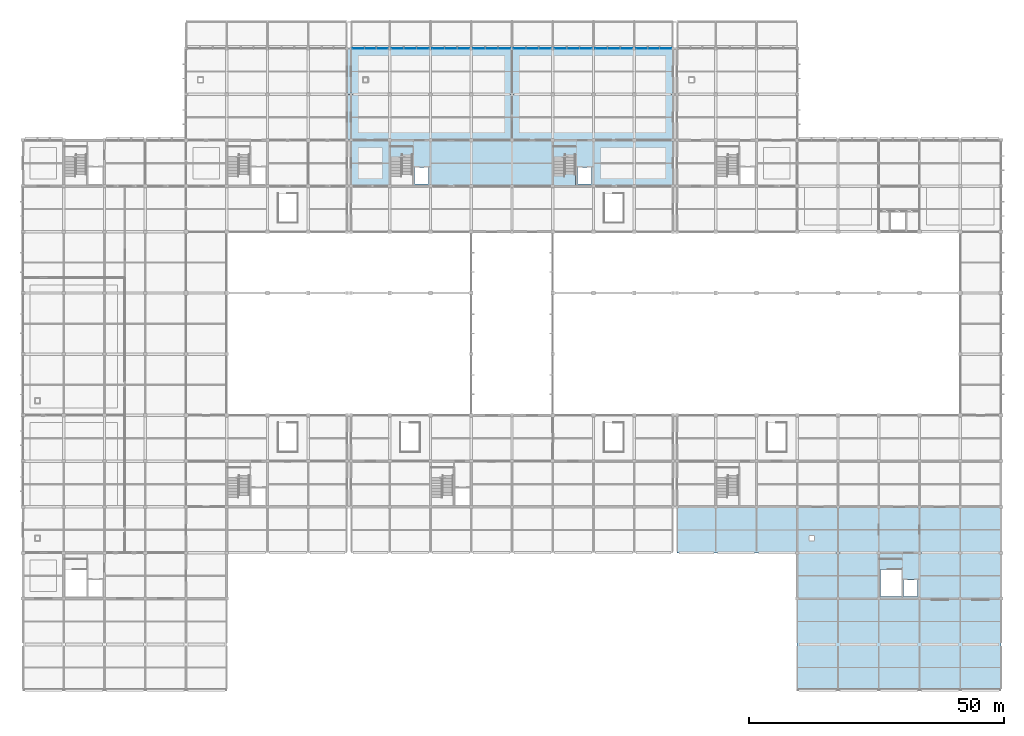
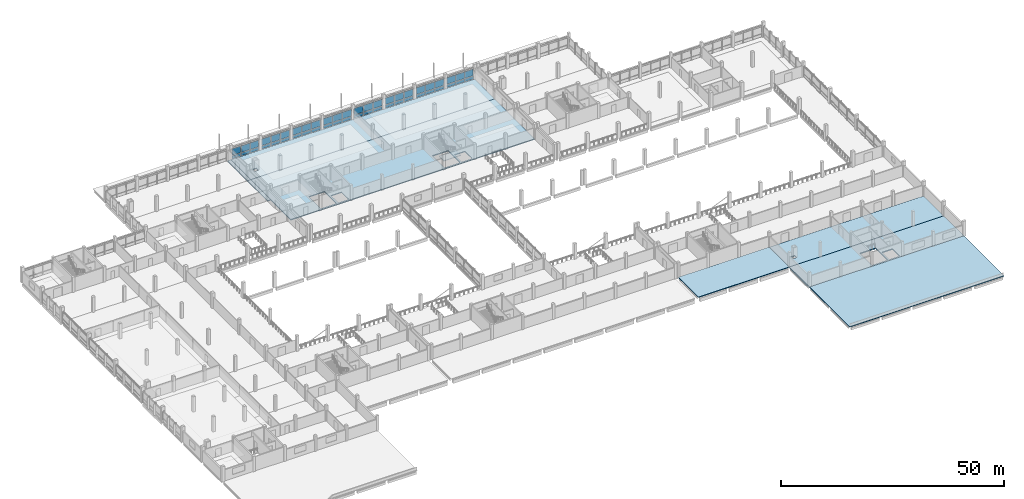
# One storey, part 36 of 57: 48 plates, 9 slabs, 9 elements without a shape of their own.
"""IFC4 building model written with IfcOpenShell, lengths in metres."""

from ifc_helpers import new_model, si_unit, direction, frame, origin, origin_2d, place, context, subcontext, project, spatial, polyline, rectangle, outline, extrude, material, layer, layer_set, type_object, element, aggregate, save


model = new_model("IFC4")

# Units and contexts
model_context = context("Model", 3, precision=1e-05, world=origin(), true_north=direction((0.0, 1.0)))
body_context = subcontext(model_context, "Body", "Model", "MODEL_VIEW")
ifc_project = project(units=[si_unit("LENGTHUNIT", "METRE"), si_unit("AREAUNIT", "SQUARE_METRE"), si_unit("VOLUMEUNIT", "CUBIC_METRE"), si_unit("PLANEANGLEUNIT", "RADIAN"), si_unit("MASSUNIT", "GRAM", prefix="KILO"), si_unit("THERMODYNAMICTEMPERATUREUNIT", "KELVIN"), si_unit("POWERUNIT", "WATT")], contexts=[model_context])

# Site, building, storey
site_placement = place(None, origin())
site = spatial("IfcSite", under=ifc_project, at=site_placement, CompositionType="ELEMENT")
building_placement = place(site_placement, origin())
building = spatial("IfcBuilding", under=site, at=building_placement, Name="Kronsvod Quay Wholesale Market", CompositionType="ELEMENT")
storey_placement = place(building_placement, frame((0.0, 0.0, 4.800048828125)))
storey = spatial("IfcBuildingStorey", under=building, at=storey_placement, Name="L01", CompositionType="ELEMENT", Elevation=4.800048828125)

# Curtain wall, plates
ifc_material_1 = material(Name="Thermally broken aluminium and triple low-E glazing", Category="aluminium")
curtain_wall_type_1 = type_object("IfcCurtainWallType", Name="CW_Harbour76x33", PredefinedType="NOTDEFINED", material=ifc_material_1)
curtain_wall_1_placement = place(storey_placement, origin())
curtain_wall_1 = element("IfcCurtainWall", 1, at=curtain_wall_1_placement, inside=storey, type_object=curtain_wall_type_1, Name="CWGX-L01-644-1260", PredefinedType="NOTDEFINED")
ifc_material_2 = material(Name="Insulated aluminium spandrel panel", Category="aluminium")
ifc_layer_1 = layer(ifc_material_2, 0.048095703125)
ifc_layer_set_1 = layer_set([ifc_layer_1], Name="Insulated aluminium spandrel panel")
plate_type_1 = type_object("IfcPlateType", Name="CWPanel_SP2224x775", PredefinedType="CURTAIN_PANEL", material=ifc_layer_set_1)
plate_1_placement = place(storey_placement, frame((70.517822265625, 126.0, 0.14990234375), z_axis=(0.0, 0.0, 1.0), x_axis=(-1.0, 0.0, 0.0)))
plate_1 = element("IfcPlate", 2, at=plate_1_placement, type_object=plate_type_1, Name="CWGX-L01-644-1260-PS1", PredefinedType="CURTAIN_PANEL", context=body_context, shape_type="SweptSolid", body=[
    extrude(rectangle(XDim=2.22412109375, YDim=0.048095703125, at=origin_2d()), origin(), (0.0, 0.0, 1.0), 0.77490234375),
])
plate_2_placement = place(storey_placement, frame((65.882080078125, 126.0, 0.14990234375), z_axis=(0.0, 0.0, 1.0), x_axis=(-1.0, 0.0, 0.0)))
plate_2 = element("IfcPlate", 3, at=plate_2_placement, type_object=plate_type_1, Name="CWGX-L01-644-1260-PS3", PredefinedType="CURTAIN_PANEL", context=body_context, shape_type="SweptSolid", body=[
    extrude(rectangle(XDim=2.22412109375, YDim=0.048095703125, at=origin_2d()), origin(), (0.0, 0.0, 1.0), 0.77490234375),
])

curtain_wall_2_placement = place(storey_placement, origin())
curtain_wall_2 = element("IfcCurtainWall", 4, at=curtain_wall_2_placement, inside=storey, type_object=curtain_wall_type_1, Name="CWGX-L01-1200-1260", PredefinedType="NOTDEFINED")
plate_3_placement = place(storey_placement, frame((126.117919921875, 126.0, 0.14990234375), z_axis=(0.0, 0.0, 1.0), x_axis=(-1.0, 0.0, 0.0)))
plate_3 = element("IfcPlate", 5, at=plate_3_placement, type_object=plate_type_1, Name="CWGX-L01-1200-1260-PS1", PredefinedType="CURTAIN_PANEL", context=body_context, shape_type="SweptSolid", body=[
    extrude(rectangle(XDim=2.22412109375, YDim=0.048095703125, at=origin_2d()), origin(), (0.0, 0.0, 1.0), 0.77490234375),
])
plate_4_placement = place(storey_placement, frame((121.482177734375, 126.0, 0.14990234375), z_axis=(0.0, 0.0, 1.0), x_axis=(-1.0, 0.0, 0.0)))
plate_4 = element("IfcPlate", 6, at=plate_4_placement, type_object=plate_type_1, Name="CWGX-L01-1200-1260-PS3", PredefinedType="CURTAIN_PANEL", context=body_context, shape_type="SweptSolid", body=[
    extrude(rectangle(XDim=2.22412109375, YDim=0.048095703125, at=origin_2d()), origin(), (0.0, 0.0, 1.0), 0.77490234375),
])

# Plate
ifc_material_3 = material(Name="Insulated aluminium spandrel panel", Category="aluminium")
ifc_layer_2 = layer(ifc_material_3, 0.048095703125)
ifc_layer_set_2 = layer_set([ifc_layer_2], Name="Insulated aluminium spandrel panel")
plate_type_2 = type_object("IfcPlateType", Name="CWPanel_SP2262x775", PredefinedType="CURTAIN_PANEL", material=ifc_layer_set_2)
plate_5_placement = place(storey_placement, frame((68.199951171875, 126.0, 0.14990234375), z_axis=(0.0, 0.0, 1.0), x_axis=(-1.0, 0.0, 0.0)))
plate_5 = element("IfcPlate", 7, at=plate_5_placement, type_object=plate_type_2, Name="CWGX-L01-644-1260-PS2", PredefinedType="CURTAIN_PANEL", context=body_context, shape_type="SweptSolid", body=[
    extrude(rectangle(XDim=2.261962890625, YDim=0.048095703125, at=origin_2d()), origin(), (0.0, 0.0, 1.0), 0.77490234375),
])

plate_6_placement = place(storey_placement, frame((123.800048828125, 126.0, 0.14990234375), z_axis=(0.0, 0.0, 1.0), x_axis=(-1.0, 0.0, 0.0)))
plate_6 = element("IfcPlate", 8, at=plate_6_placement, type_object=plate_type_2, Name="CWGX-L01-1200-1260-PS2", PredefinedType="CURTAIN_PANEL", context=body_context, shape_type="SweptSolid", body=[
    extrude(rectangle(XDim=2.261962890625, YDim=0.048095703125, at=origin_2d()), origin(), (0.0, 0.0, 1.0), 0.77490234375),
])

# Curtain wall, plate
ifc_material_4 = material(Name="Thermally broken aluminium and triple low-E glazing", Category="aluminium")
curtain_wall_type_2 = type_object("IfcCurtainWallType", Name="CW_Harbour80x33", PredefinedType="NOTDEFINED", material=ifc_material_4)
curtain_wall_3_placement = place(storey_placement, origin())
curtain_wall_3 = element("IfcCurtainWall", 9, at=curtain_wall_3_placement, inside=storey, type_object=curtain_wall_type_2, Name="CWGX-L01-720-1260", PredefinedType="NOTDEFINED")
ifc_material_5 = material(Name="Insulated aluminium spandrel panel", Category="aluminium")
ifc_layer_3 = layer(ifc_material_5, 0.048095703125)
ifc_layer_set_3 = layer_set([ifc_layer_3], Name="Insulated aluminium spandrel panel")
plate_type_3 = type_object("IfcPlateType", Name="CWPanel_SP2357x775", PredefinedType="CURTAIN_PANEL", material=ifc_layer_set_3)
plate_7_placement = place(storey_placement, frame((78.451171875, 126.0, 0.14990234375), z_axis=(0.0, 0.0, 1.0), x_axis=(-1.0, 0.0, 0.0)))
plate_7 = element("IfcPlate", 10, at=plate_7_placement, type_object=plate_type_3, Name="CWGX-L01-720-1260-PS1", PredefinedType="CURTAIN_PANEL", context=body_context, shape_type="SweptSolid", body=[
    extrude(rectangle(XDim=2.35693359375, YDim=0.048095703125, at=origin_2d()), origin(), (0.0, 0.0, 1.0), 0.77490234375),
])

curtain_wall_4_placement = place(storey_placement, origin())
curtain_wall_4 = element("IfcCurtainWall", 11, at=curtain_wall_4_placement, inside=storey, type_object=curtain_wall_type_2, Name="CWGX-L01-800-1260", PredefinedType="NOTDEFINED")
plate_8_placement = place(storey_placement, frame((86.451171875, 126.0, 0.14990234375), z_axis=(0.0, 0.0, 1.0), x_axis=(-1.0, 0.0, 0.0)))
plate_8 = element("IfcPlate", 12, at=plate_8_placement, type_object=plate_type_3, Name="CWGX-L01-800-1260-PS1", PredefinedType="CURTAIN_PANEL", context=body_context, shape_type="SweptSolid", body=[
    extrude(rectangle(XDim=2.35693359375, YDim=0.048095703125, at=origin_2d()), origin(), (0.0, 0.0, 1.0), 0.77490234375),
])

curtain_wall_5_placement = place(storey_placement, origin())
curtain_wall_5 = element("IfcCurtainWall", 13, at=curtain_wall_5_placement, inside=storey, type_object=curtain_wall_type_2, Name="CWGX-L01-880-1260", PredefinedType="NOTDEFINED")
plate_9_placement = place(storey_placement, frame((94.451171875, 126.0, 0.14990234375), z_axis=(0.0, 0.0, 1.0), x_axis=(-1.0, 0.0, 0.0)))
plate_9 = element("IfcPlate", 14, at=plate_9_placement, type_object=plate_type_3, Name="CWGX-L01-880-1260-PS1", PredefinedType="CURTAIN_PANEL", context=body_context, shape_type="SweptSolid", body=[
    extrude(rectangle(XDim=2.35693359375, YDim=0.048095703125, at=origin_2d()), origin(), (0.0, 0.0, 1.0), 0.77490234375),
])

curtain_wall_6_placement = place(storey_placement, origin())
curtain_wall_6 = element("IfcCurtainWall", 15, at=curtain_wall_6_placement, inside=storey, type_object=curtain_wall_type_2, Name="CWGX-L01-960-1260", PredefinedType="NOTDEFINED")
plate_10_placement = place(storey_placement, frame((102.451171875, 126.0, 0.14990234375), z_axis=(0.0, 0.0, 1.0), x_axis=(-1.0, 0.0, 0.0)))
plate_10 = element("IfcPlate", 16, at=plate_10_placement, type_object=plate_type_3, Name="CWGX-L01-960-1260-PS1", PredefinedType="CURTAIN_PANEL", context=body_context, shape_type="SweptSolid", body=[
    extrude(rectangle(XDim=2.35693359375, YDim=0.048095703125, at=origin_2d()), origin(), (0.0, 0.0, 1.0), 0.77490234375),
])

curtain_wall_7_placement = place(storey_placement, origin())
curtain_wall_7 = element("IfcCurtainWall", 17, at=curtain_wall_7_placement, inside=storey, type_object=curtain_wall_type_2, Name="CWGX-L01-1040-1260", PredefinedType="NOTDEFINED")
plate_11_placement = place(storey_placement, frame((110.451171875, 126.0, 0.14990234375), z_axis=(0.0, 0.0, 1.0), x_axis=(-1.0, 0.0, 0.0)))
plate_11 = element("IfcPlate", 18, at=plate_11_placement, type_object=plate_type_3, Name="CWGX-L01-1040-1260-PS1", PredefinedType="CURTAIN_PANEL", context=body_context, shape_type="SweptSolid", body=[
    extrude(rectangle(XDim=2.35693359375, YDim=0.048095703125, at=origin_2d()), origin(), (0.0, 0.0, 1.0), 0.77490234375),
])

curtain_wall_8_placement = place(storey_placement, origin())
curtain_wall_8 = element("IfcCurtainWall", 19, at=curtain_wall_8_placement, inside=storey, type_object=curtain_wall_type_2, Name="CWGX-L01-1120-1260", PredefinedType="NOTDEFINED")
plate_12_placement = place(storey_placement, frame((118.451171875, 126.0, 0.14990234375), z_axis=(0.0, 0.0, 1.0), x_axis=(-1.0, 0.0, 0.0)))
plate_12 = element("IfcPlate", 20, at=plate_12_placement, type_object=plate_type_3, Name="CWGX-L01-1120-1260-PS1", PredefinedType="CURTAIN_PANEL", context=body_context, shape_type="SweptSolid", body=[
    extrude(rectangle(XDim=2.35693359375, YDim=0.048095703125, at=origin_2d()), origin(), (0.0, 0.0, 1.0), 0.77490234375),
])

# Plate
ifc_material_6 = material(Name="Insulated aluminium spandrel panel", Category="aluminium")
ifc_layer_4 = layer(ifc_material_6, 0.048095703125)
ifc_layer_set_4 = layer_set([ifc_layer_4], Name="Insulated aluminium spandrel panel")
plate_type_4 = type_object("IfcPlateType", Name="CWPanel_SP2358x775", PredefinedType="CURTAIN_PANEL", material=ifc_layer_set_4)
plate_13_placement = place(storey_placement, frame((73.548828125, 126.0, 0.14990234375), z_axis=(0.0, 0.0, 1.0), x_axis=(-1.0, 0.0, 0.0)))
plate_13 = element("IfcPlate", 21, at=plate_13_placement, type_object=plate_type_4, Name="CWGX-L01-720-1260-PS3", PredefinedType="CURTAIN_PANEL", context=body_context, shape_type="SweptSolid", body=[
    extrude(rectangle(XDim=2.35791015625, YDim=0.048095703125, at=origin_2d()), origin(), (0.0, 0.0, 1.0), 0.77490234375),
])

plate_14_placement = place(storey_placement, frame((81.548828125, 126.0, 0.14990234375), z_axis=(0.0, 0.0, 1.0), x_axis=(-1.0, 0.0, 0.0)))
plate_14 = element("IfcPlate", 22, at=plate_14_placement, type_object=plate_type_4, Name="CWGX-L01-800-1260-PS3", PredefinedType="CURTAIN_PANEL", context=body_context, shape_type="SweptSolid", body=[
    extrude(rectangle(XDim=2.35791015625, YDim=0.048095703125, at=origin_2d()), origin(), (0.0, 0.0, 1.0), 0.77490234375),
])

plate_15_placement = place(storey_placement, frame((89.548828125, 126.0, 0.14990234375), z_axis=(0.0, 0.0, 1.0), x_axis=(-1.0, 0.0, 0.0)))
plate_15 = element("IfcPlate", 23, at=plate_15_placement, type_object=plate_type_4, Name="CWGX-L01-880-1260-PS3", PredefinedType="CURTAIN_PANEL", context=body_context, shape_type="SweptSolid", body=[
    extrude(rectangle(XDim=2.35791015625, YDim=0.048095703125, at=origin_2d()), origin(), (0.0, 0.0, 1.0), 0.77490234375),
])

plate_16_placement = place(storey_placement, frame((97.548828125, 126.0, 0.14990234375), z_axis=(0.0, 0.0, 1.0), x_axis=(-1.0, 0.0, 0.0)))
plate_16 = element("IfcPlate", 24, at=plate_16_placement, type_object=plate_type_4, Name="CWGX-L01-960-1260-PS3", PredefinedType="CURTAIN_PANEL", context=body_context, shape_type="SweptSolid", body=[
    extrude(rectangle(XDim=2.35791015625, YDim=0.048095703125, at=origin_2d()), origin(), (0.0, 0.0, 1.0), 0.77490234375),
])

plate_17_placement = place(storey_placement, frame((105.548828125, 126.0, 0.14990234375), z_axis=(0.0, 0.0, 1.0), x_axis=(-1.0, 0.0, 0.0)))
plate_17 = element("IfcPlate", 25, at=plate_17_placement, type_object=plate_type_4, Name="CWGX-L01-1040-1260-PS3", PredefinedType="CURTAIN_PANEL", context=body_context, shape_type="SweptSolid", body=[
    extrude(rectangle(XDim=2.35791015625, YDim=0.048095703125, at=origin_2d()), origin(), (0.0, 0.0, 1.0), 0.77490234375),
])

plate_18_placement = place(storey_placement, frame((113.548828125, 126.0, 0.14990234375), z_axis=(0.0, 0.0, 1.0), x_axis=(-1.0, 0.0, 0.0)))
plate_18 = element("IfcPlate", 26, at=plate_18_placement, type_object=plate_type_4, Name="CWGX-L01-1120-1260-PS3", PredefinedType="CURTAIN_PANEL", context=body_context, shape_type="SweptSolid", body=[
    extrude(rectangle(XDim=2.35791015625, YDim=0.048095703125, at=origin_2d()), origin(), (0.0, 0.0, 1.0), 0.77490234375),
])

ifc_material_7 = material(Name="Insulated aluminium spandrel panel", Category="aluminium")
ifc_layer_5 = layer(ifc_material_7, 0.048095703125)
ifc_layer_set_5 = layer_set([ifc_layer_5], Name="Insulated aluminium spandrel panel")
plate_type_5 = type_object("IfcPlateType", Name="CWPanel_SP2395x775", PredefinedType="CURTAIN_PANEL", material=ifc_layer_set_5)
plate_19_placement = place(storey_placement, frame((76.0, 126.0, 0.14990234375), z_axis=(0.0, 0.0, 1.0), x_axis=(-1.0, 0.0, 0.0)))
plate_19 = element("IfcPlate", 27, at=plate_19_placement, type_object=plate_type_5, Name="CWGX-L01-720-1260-PS2", PredefinedType="CURTAIN_PANEL", context=body_context, shape_type="SweptSolid", body=[
    extrude(rectangle(XDim=2.39501953125, YDim=0.048095703125, at=origin_2d()), origin(), (0.0, 0.0, 1.0), 0.77490234375),
])

plate_20_placement = place(storey_placement, frame((84.0, 126.0, 0.14990234375), z_axis=(0.0, 0.0, 1.0), x_axis=(-1.0, 0.0, 0.0)))
plate_20 = element("IfcPlate", 28, at=plate_20_placement, type_object=plate_type_5, Name="CWGX-L01-800-1260-PS2", PredefinedType="CURTAIN_PANEL", context=body_context, shape_type="SweptSolid", body=[
    extrude(rectangle(XDim=2.39501953125, YDim=0.048095703125, at=origin_2d()), origin(), (0.0, 0.0, 1.0), 0.77490234375),
])

plate_21_placement = place(storey_placement, frame((92.0, 126.0, 0.14990234375), z_axis=(0.0, 0.0, 1.0), x_axis=(-1.0, 0.0, 0.0)))
plate_21 = element("IfcPlate", 29, at=plate_21_placement, type_object=plate_type_5, Name="CWGX-L01-880-1260-PS2", PredefinedType="CURTAIN_PANEL", context=body_context, shape_type="SweptSolid", body=[
    extrude(rectangle(XDim=2.39501953125, YDim=0.048095703125, at=origin_2d()), origin(), (0.0, 0.0, 1.0), 0.77490234375),
])

plate_22_placement = place(storey_placement, frame((100.0, 126.0, 0.14990234375), z_axis=(0.0, 0.0, 1.0), x_axis=(-1.0, 0.0, 0.0)))
plate_22 = element("IfcPlate", 30, at=plate_22_placement, type_object=plate_type_5, Name="CWGX-L01-960-1260-PS2", PredefinedType="CURTAIN_PANEL", context=body_context, shape_type="SweptSolid", body=[
    extrude(rectangle(XDim=2.39501953125, YDim=0.048095703125, at=origin_2d()), origin(), (0.0, 0.0, 1.0), 0.77490234375),
])

plate_23_placement = place(storey_placement, frame((108.0, 126.0, 0.14990234375), z_axis=(0.0, 0.0, 1.0), x_axis=(-1.0, 0.0, 0.0)))
plate_23 = element("IfcPlate", 31, at=plate_23_placement, type_object=plate_type_5, Name="CWGX-L01-1040-1260-PS2", PredefinedType="CURTAIN_PANEL", context=body_context, shape_type="SweptSolid", body=[
    extrude(rectangle(XDim=2.39501953125, YDim=0.048095703125, at=origin_2d()), origin(), (0.0, 0.0, 1.0), 0.77490234375),
])

plate_24_placement = place(storey_placement, frame((116.0, 126.0, 0.14990234375), z_axis=(0.0, 0.0, 1.0), x_axis=(-1.0, 0.0, 0.0)))
plate_24 = element("IfcPlate", 32, at=plate_24_placement, type_object=plate_type_5, Name="CWGX-L01-1120-1260-PS2", PredefinedType="CURTAIN_PANEL", context=body_context, shape_type="SweptSolid", body=[
    extrude(rectangle(XDim=2.39501953125, YDim=0.048095703125, at=origin_2d()), origin(), (0.0, 0.0, 1.0), 0.77490234375),
])

ifc_material_8 = material(Name="Triple low-E insulated glazing", Category="glass")
ifc_layer_6 = layer(ifc_material_8, 0.0439453125)
ifc_layer_set_6 = layer_set([ifc_layer_6], Name="Triple low-E insulated glazing")
plate_type_6 = type_object("IfcPlateType", Name="CWPanel_VS2224x1825", PredefinedType="CURTAIN_PANEL", material=ifc_layer_set_6)
plate_25_placement = place(storey_placement, frame((70.517822265625, 126.0, 1.0751953125), z_axis=(0.0, 0.0, 1.0), x_axis=(-1.0, 0.0, 0.0)))
plate_25 = element("IfcPlate", 33, at=plate_25_placement, type_object=plate_type_6, Name="CWGX-L01-644-1260-PV1", PredefinedType="CURTAIN_PANEL", context=body_context, shape_type="SweptSolid", body=[
    extrude(rectangle(XDim=2.22412109375, YDim=0.0439453125, at=origin_2d()), origin(), (0.0, 0.0, 1.0), 1.824951171875),
])

plate_26_placement = place(storey_placement, frame((65.882080078125, 126.0, 1.0751953125), z_axis=(0.0, 0.0, 1.0), x_axis=(-1.0, 0.0, 0.0)))
plate_26 = element("IfcPlate", 34, at=plate_26_placement, type_object=plate_type_6, Name="CWGX-L01-644-1260-PV3", PredefinedType="CURTAIN_PANEL", context=body_context, shape_type="SweptSolid", body=[
    extrude(rectangle(XDim=2.22412109375, YDim=0.0439453125, at=origin_2d()), origin(), (0.0, 0.0, 1.0), 1.824951171875),
])

plate_27_placement = place(storey_placement, frame((126.117919921875, 126.0, 1.0751953125), z_axis=(0.0, 0.0, 1.0), x_axis=(-1.0, 0.0, 0.0)))
plate_27 = element("IfcPlate", 35, at=plate_27_placement, type_object=plate_type_6, Name="CWGX-L01-1200-1260-PV1", PredefinedType="CURTAIN_PANEL", context=body_context, shape_type="SweptSolid", body=[
    extrude(rectangle(XDim=2.22412109375, YDim=0.0439453125, at=origin_2d()), origin(), (0.0, 0.0, 1.0), 1.824951171875),
])

plate_28_placement = place(storey_placement, frame((121.482177734375, 126.0, 1.0751953125), z_axis=(0.0, 0.0, 1.0), x_axis=(-1.0, 0.0, 0.0)))
plate_28 = element("IfcPlate", 36, at=plate_28_placement, type_object=plate_type_6, Name="CWGX-L01-1200-1260-PV3", PredefinedType="CURTAIN_PANEL", context=body_context, shape_type="SweptSolid", body=[
    extrude(rectangle(XDim=2.22412109375, YDim=0.0439453125, at=origin_2d()), origin(), (0.0, 0.0, 1.0), 1.824951171875),
])

ifc_material_9 = material(Name="Triple low-E insulated glazing", Category="glass")
ifc_layer_7 = layer(ifc_material_9, 0.0439453125)
ifc_layer_set_7 = layer_set([ifc_layer_7], Name="Triple low-E insulated glazing")
plate_type_7 = type_object("IfcPlateType", Name="CWPanel_VS2262x1825", PredefinedType="CURTAIN_PANEL", material=ifc_layer_set_7)
plate_29_placement = place(storey_placement, frame((68.199951171875, 126.0, 1.0751953125), z_axis=(0.0, 0.0, 1.0), x_axis=(-1.0, 0.0, 0.0)))
plate_29 = element("IfcPlate", 37, at=plate_29_placement, type_object=plate_type_7, Name="CWGX-L01-644-1260-PV2", PredefinedType="CURTAIN_PANEL", context=body_context, shape_type="SweptSolid", body=[
    extrude(rectangle(XDim=2.261962890625, YDim=0.0439453125, at=origin_2d()), origin(), (0.0, 0.0, 1.0), 1.824951171875),
])

aggregate(curtain_wall_1, [plate_1, plate_25, plate_5, plate_29, plate_2, plate_26])

plate_30_placement = place(storey_placement, frame((123.800048828125, 126.0, 1.0751953125), z_axis=(0.0, 0.0, 1.0), x_axis=(-1.0, 0.0, 0.0)))
plate_30 = element("IfcPlate", 38, at=plate_30_placement, type_object=plate_type_7, Name="CWGX-L01-1200-1260-PV2", PredefinedType="CURTAIN_PANEL", context=body_context, shape_type="SweptSolid", body=[
    extrude(rectangle(XDim=2.261962890625, YDim=0.0439453125, at=origin_2d()), origin(), (0.0, 0.0, 1.0), 1.824951171875),
])

aggregate(curtain_wall_2, [plate_3, plate_27, plate_6, plate_30, plate_4, plate_28])

ifc_material_10 = material(Name="Triple low-E insulated glazing", Category="glass")
ifc_layer_8 = layer(ifc_material_10, 0.0439453125)
ifc_layer_set_8 = layer_set([ifc_layer_8], Name="Triple low-E insulated glazing")
plate_type_8 = type_object("IfcPlateType", Name="CWPanel_VS2357x1825", PredefinedType="CURTAIN_PANEL", material=ifc_layer_set_8)
plate_31_placement = place(storey_placement, frame((78.451171875, 126.0, 1.0751953125), z_axis=(0.0, 0.0, 1.0), x_axis=(-1.0, 0.0, 0.0)))
plate_31 = element("IfcPlate", 39, at=plate_31_placement, type_object=plate_type_8, Name="CWGX-L01-720-1260-PV1", PredefinedType="CURTAIN_PANEL", context=body_context, shape_type="SweptSolid", body=[
    extrude(rectangle(XDim=2.35693359375, YDim=0.0439453125, at=origin_2d()), origin(), (0.0, 0.0, 1.0), 1.824951171875),
])

plate_32_placement = place(storey_placement, frame((86.451171875, 126.0, 1.0751953125), z_axis=(0.0, 0.0, 1.0), x_axis=(-1.0, 0.0, 0.0)))
plate_32 = element("IfcPlate", 40, at=plate_32_placement, type_object=plate_type_8, Name="CWGX-L01-800-1260-PV1", PredefinedType="CURTAIN_PANEL", context=body_context, shape_type="SweptSolid", body=[
    extrude(rectangle(XDim=2.35693359375, YDim=0.0439453125, at=origin_2d()), origin(), (0.0, 0.0, 1.0), 1.824951171875),
])

plate_33_placement = place(storey_placement, frame((94.451171875, 126.0, 1.0751953125), z_axis=(0.0, 0.0, 1.0), x_axis=(-1.0, 0.0, 0.0)))
plate_33 = element("IfcPlate", 41, at=plate_33_placement, type_object=plate_type_8, Name="CWGX-L01-880-1260-PV1", PredefinedType="CURTAIN_PANEL", context=body_context, shape_type="SweptSolid", body=[
    extrude(rectangle(XDim=2.35693359375, YDim=0.0439453125, at=origin_2d()), origin(), (0.0, 0.0, 1.0), 1.824951171875),
])

plate_34_placement = place(storey_placement, frame((102.451171875, 126.0, 1.0751953125), z_axis=(0.0, 0.0, 1.0), x_axis=(-1.0, 0.0, 0.0)))
plate_34 = element("IfcPlate", 42, at=plate_34_placement, type_object=plate_type_8, Name="CWGX-L01-960-1260-PV1", PredefinedType="CURTAIN_PANEL", context=body_context, shape_type="SweptSolid", body=[
    extrude(rectangle(XDim=2.35693359375, YDim=0.0439453125, at=origin_2d()), origin(), (0.0, 0.0, 1.0), 1.824951171875),
])

plate_35_placement = place(storey_placement, frame((110.451171875, 126.0, 1.0751953125), z_axis=(0.0, 0.0, 1.0), x_axis=(-1.0, 0.0, 0.0)))
plate_35 = element("IfcPlate", 43, at=plate_35_placement, type_object=plate_type_8, Name="CWGX-L01-1040-1260-PV1", PredefinedType="CURTAIN_PANEL", context=body_context, shape_type="SweptSolid", body=[
    extrude(rectangle(XDim=2.35693359375, YDim=0.0439453125, at=origin_2d()), origin(), (0.0, 0.0, 1.0), 1.824951171875),
])

plate_36_placement = place(storey_placement, frame((118.451171875, 126.0, 1.0751953125), z_axis=(0.0, 0.0, 1.0), x_axis=(-1.0, 0.0, 0.0)))
plate_36 = element("IfcPlate", 44, at=plate_36_placement, type_object=plate_type_8, Name="CWGX-L01-1120-1260-PV1", PredefinedType="CURTAIN_PANEL", context=body_context, shape_type="SweptSolid", body=[
    extrude(rectangle(XDim=2.35693359375, YDim=0.0439453125, at=origin_2d()), origin(), (0.0, 0.0, 1.0), 1.824951171875),
])

ifc_material_11 = material(Name="Triple low-E insulated glazing", Category="glass")
ifc_layer_9 = layer(ifc_material_11, 0.0439453125)
ifc_layer_set_9 = layer_set([ifc_layer_9], Name="Triple low-E insulated glazing")
plate_type_9 = type_object("IfcPlateType", Name="CWPanel_VS2358x1825", PredefinedType="CURTAIN_PANEL", material=ifc_layer_set_9)
plate_37_placement = place(storey_placement, frame((73.548828125, 126.0, 1.0751953125), z_axis=(0.0, 0.0, 1.0), x_axis=(-1.0, 0.0, 0.0)))
plate_37 = element("IfcPlate", 45, at=plate_37_placement, type_object=plate_type_9, Name="CWGX-L01-720-1260-PV3", PredefinedType="CURTAIN_PANEL", context=body_context, shape_type="SweptSolid", body=[
    extrude(rectangle(XDim=2.35791015625, YDim=0.0439453125, at=origin_2d()), origin(), (0.0, 0.0, 1.0), 1.824951171875),
])

plate_38_placement = place(storey_placement, frame((81.548828125, 126.0, 1.0751953125), z_axis=(0.0, 0.0, 1.0), x_axis=(-1.0, 0.0, 0.0)))
plate_38 = element("IfcPlate", 46, at=plate_38_placement, type_object=plate_type_9, Name="CWGX-L01-800-1260-PV3", PredefinedType="CURTAIN_PANEL", context=body_context, shape_type="SweptSolid", body=[
    extrude(rectangle(XDim=2.35791015625, YDim=0.0439453125, at=origin_2d()), origin(), (0.0, 0.0, 1.0), 1.824951171875),
])

plate_39_placement = place(storey_placement, frame((89.548828125, 126.0, 1.0751953125), z_axis=(0.0, 0.0, 1.0), x_axis=(-1.0, 0.0, 0.0)))
plate_39 = element("IfcPlate", 47, at=plate_39_placement, type_object=plate_type_9, Name="CWGX-L01-880-1260-PV3", PredefinedType="CURTAIN_PANEL", context=body_context, shape_type="SweptSolid", body=[
    extrude(rectangle(XDim=2.35791015625, YDim=0.0439453125, at=origin_2d()), origin(), (0.0, 0.0, 1.0), 1.824951171875),
])

plate_40_placement = place(storey_placement, frame((97.548828125, 126.0, 1.0751953125), z_axis=(0.0, 0.0, 1.0), x_axis=(-1.0, 0.0, 0.0)))
plate_40 = element("IfcPlate", 48, at=plate_40_placement, type_object=plate_type_9, Name="CWGX-L01-960-1260-PV3", PredefinedType="CURTAIN_PANEL", context=body_context, shape_type="SweptSolid", body=[
    extrude(rectangle(XDim=2.35791015625, YDim=0.0439453125, at=origin_2d()), origin(), (0.0, 0.0, 1.0), 1.824951171875),
])

plate_41_placement = place(storey_placement, frame((105.548828125, 126.0, 1.0751953125), z_axis=(0.0, 0.0, 1.0), x_axis=(-1.0, 0.0, 0.0)))
plate_41 = element("IfcPlate", 49, at=plate_41_placement, type_object=plate_type_9, Name="CWGX-L01-1040-1260-PV3", PredefinedType="CURTAIN_PANEL", context=body_context, shape_type="SweptSolid", body=[
    extrude(rectangle(XDim=2.35791015625, YDim=0.0439453125, at=origin_2d()), origin(), (0.0, 0.0, 1.0), 1.824951171875),
])

plate_42_placement = place(storey_placement, frame((113.548828125, 126.0, 1.0751953125), z_axis=(0.0, 0.0, 1.0), x_axis=(-1.0, 0.0, 0.0)))
plate_42 = element("IfcPlate", 50, at=plate_42_placement, type_object=plate_type_9, Name="CWGX-L01-1120-1260-PV3", PredefinedType="CURTAIN_PANEL", context=body_context, shape_type="SweptSolid", body=[
    extrude(rectangle(XDim=2.35791015625, YDim=0.0439453125, at=origin_2d()), origin(), (0.0, 0.0, 1.0), 1.824951171875),
])

ifc_material_12 = material(Name="Triple low-E insulated glazing", Category="glass")
ifc_layer_10 = layer(ifc_material_12, 0.0439453125)
ifc_layer_set_10 = layer_set([ifc_layer_10], Name="Triple low-E insulated glazing")
plate_type_10 = type_object("IfcPlateType", Name="CWPanel_VS2395x1825", PredefinedType="CURTAIN_PANEL", material=ifc_layer_set_10)
plate_43_placement = place(storey_placement, frame((76.0, 126.0, 1.0751953125), z_axis=(0.0, 0.0, 1.0), x_axis=(-1.0, 0.0, 0.0)))
plate_43 = element("IfcPlate", 51, at=plate_43_placement, type_object=plate_type_10, Name="CWGX-L01-720-1260-PV2", PredefinedType="CURTAIN_PANEL", context=body_context, shape_type="SweptSolid", body=[
    extrude(rectangle(XDim=2.39501953125, YDim=0.0439453125, at=origin_2d()), origin(), (0.0, 0.0, 1.0), 1.824951171875),
])

aggregate(curtain_wall_3, [plate_7, plate_31, plate_19, plate_43, plate_13, plate_37])

plate_44_placement = place(storey_placement, frame((84.0, 126.0, 1.0751953125), z_axis=(0.0, 0.0, 1.0), x_axis=(-1.0, 0.0, 0.0)))
plate_44 = element("IfcPlate", 52, at=plate_44_placement, type_object=plate_type_10, Name="CWGX-L01-800-1260-PV2", PredefinedType="CURTAIN_PANEL", context=body_context, shape_type="SweptSolid", body=[
    extrude(rectangle(XDim=2.39501953125, YDim=0.0439453125, at=origin_2d()), origin(), (0.0, 0.0, 1.0), 1.824951171875),
])

aggregate(curtain_wall_4, [plate_8, plate_32, plate_20, plate_44, plate_14, plate_38])

plate_45_placement = place(storey_placement, frame((92.0, 126.0, 1.0751953125), z_axis=(0.0, 0.0, 1.0), x_axis=(-1.0, 0.0, 0.0)))
plate_45 = element("IfcPlate", 53, at=plate_45_placement, type_object=plate_type_10, Name="CWGX-L01-880-1260-PV2", PredefinedType="CURTAIN_PANEL", context=body_context, shape_type="SweptSolid", body=[
    extrude(rectangle(XDim=2.39501953125, YDim=0.0439453125, at=origin_2d()), origin(), (0.0, 0.0, 1.0), 1.824951171875),
])

aggregate(curtain_wall_5, [plate_9, plate_33, plate_21, plate_45, plate_15, plate_39])

plate_46_placement = place(storey_placement, frame((100.0, 126.0, 1.0751953125), z_axis=(0.0, 0.0, 1.0), x_axis=(-1.0, 0.0, 0.0)))
plate_46 = element("IfcPlate", 54, at=plate_46_placement, type_object=plate_type_10, Name="CWGX-L01-960-1260-PV2", PredefinedType="CURTAIN_PANEL", context=body_context, shape_type="SweptSolid", body=[
    extrude(rectangle(XDim=2.39501953125, YDim=0.0439453125, at=origin_2d()), origin(), (0.0, 0.0, 1.0), 1.824951171875),
])

aggregate(curtain_wall_6, [plate_10, plate_34, plate_22, plate_46, plate_16, plate_40])

plate_47_placement = place(storey_placement, frame((108.0, 126.0, 1.0751953125), z_axis=(0.0, 0.0, 1.0), x_axis=(-1.0, 0.0, 0.0)))
plate_47 = element("IfcPlate", 55, at=plate_47_placement, type_object=plate_type_10, Name="CWGX-L01-1040-1260-PV2", PredefinedType="CURTAIN_PANEL", context=body_context, shape_type="SweptSolid", body=[
    extrude(rectangle(XDim=2.39501953125, YDim=0.0439453125, at=origin_2d()), origin(), (0.0, 0.0, 1.0), 1.824951171875),
])

aggregate(curtain_wall_7, [plate_11, plate_35, plate_23, plate_47, plate_17, plate_41])

plate_48_placement = place(storey_placement, frame((116.0, 126.0, 1.0751953125), z_axis=(0.0, 0.0, 1.0), x_axis=(-1.0, 0.0, 0.0)))
plate_48 = element("IfcPlate", 56, at=plate_48_placement, type_object=plate_type_10, Name="CWGX-L01-1120-1260-PV2", PredefinedType="CURTAIN_PANEL", context=body_context, shape_type="SweptSolid", body=[
    extrude(rectangle(XDim=2.39501953125, YDim=0.0439453125, at=origin_2d()), origin(), (0.0, 0.0, 1.0), 1.824951171875),
])

aggregate(curtain_wall_8, [plate_12, plate_36, plate_24, plate_48, plate_18, plate_42])

# Slabs
ifc_material_13 = material(Name="Precast concrete C40/50", Category="concrete")
ifc_layer_11 = layer(ifc_material_13, 0.18994140625)
ifc_layer_set_11 = layer_set([ifc_layer_11], Name="Precast concrete C40/50")
slab_type_1 = type_object("IfcSlabType", Name="Slab_CanopyRoof190", PredefinedType="ROOF", material=ifc_layer_set_11)
slab_1_placement = place(storey_placement, frame((0.0, 0.0, -0.18994140625)))
element("IfcSlab", 57, at=slab_1_placement, inside=storey, type_object=slab_type_1, Name="SLB-L01-074", PredefinedType="ROOF", context=body_context, shape_type="SweptSolid", body=[
    extrude(outline(polyline([(152.0, 0.0), (192.0, 0.0), (192.0, 18.0), (152.0, 18.0), (152.0, 0.0)])), origin(), (0.0, 0.0, 1.0), 0.18994140625),
])
slab_2_placement = place(storey_placement, frame((0.0, 0.0, -0.18994140625)))
element("IfcSlab", 58, at=slab_2_placement, inside=storey, type_object=slab_type_1, Name="SLB-L01-076", PredefinedType="ROOF", context=body_context, shape_type="SweptSolid", body=[
    extrude(outline(polyline([(128.419921875, 27.0), (152.0, 27.0), (152.0, 36.0), (128.419921875, 36.0), (128.419921875, 27.0)])), origin(), (0.0, 0.0, 1.0), 0.18994140625),
])
ifc_material_14 = material(Name="Concrete C35/45", Category="concrete")
ifc_layer_12 = layer(ifc_material_14, 0.25)
ifc_layer_set_12 = layer_set([ifc_layer_12], Name="Concrete C35/45")
slab_type_2 = type_object("IfcSlabType", Name="Slab_Floor250", PredefinedType="FLOOR", material=ifc_layer_set_12)
slab_3_placement = place(storey_placement, frame((0.0, 0.0, -0.25)))
element("IfcSlab", 59, at=slab_3_placement, inside=storey, type_object=slab_type_2, Name="SLB-L01-072", PredefinedType="FLOOR", context=body_context, shape_type="SweptSolid", body=[
    extrude(outline(polyline([(64.419921875, 99.0), (127.580078125, 99.0), (127.580078125, 117.0), (64.419921875, 117.0), (64.419921875, 99.0)]), holes=[polyline([(72.3798828125, 99.3798828125), (76.4599609375, 99.3798828125), (76.4599609375, 104.75), (72.3798828125, 104.75), (72.3798828125, 99.3798828125)]), polyline([(76.89990234375, 99.3798828125), (79.6201171875, 99.3798828125), (79.6201171875, 102.6201171875), (76.89990234375, 102.6201171875), (76.89990234375, 99.3798828125)]), polyline([(104.3798828125, 99.3798828125), (108.4599609375, 99.3798828125), (108.4599609375, 104.75), (104.3798828125, 104.75), (104.3798828125, 99.3798828125)]), polyline([(108.89990234375, 99.3798828125), (111.6201171875, 99.3798828125), (111.6201171875, 102.6201171875), (108.89990234375, 102.6201171875), (108.89990234375, 99.3798828125)])]), origin(), (0.0, 0.0, 1.0), 0.25),
])
slab_4_placement = place(storey_placement, frame((0.0, 0.0, -0.25)))
element("IfcSlab", 60, at=slab_4_placement, inside=storey, type_object=slab_type_2, Name="SLB-L01-073", PredefinedType="FLOOR", context=body_context, shape_type="SweptSolid", body=[
    extrude(outline(polyline([(64.419921875, 117.0), (127.580078125, 117.0), (127.580078125, 126.0), (64.419921875, 126.0), (64.419921875, 117.0)]), holes=[polyline([(66.820068359375, 119.39990234375), (67.719970703125, 119.39990234375), (67.719970703125, 120.300048828125), (66.820068359375, 120.300048828125), (66.820068359375, 119.39990234375)])]), origin(), (0.0, 0.0, 1.0), 0.25),
])
ifc_material_15 = material(Name="Concrete C35/45", Category="concrete")
ifc_layer_13 = layer(ifc_material_15, 0.300048828125)
ifc_layer_set_13 = layer_set([ifc_layer_13], Name="Concrete C35/45")
slab_type_3 = type_object("IfcSlabType", Name="Slab_FloorCold300", PredefinedType="FLOOR", material=ifc_layer_set_13)
slab_5_placement = place(storey_placement, frame((0.0, 0.0, -0.300048828125)))
element("IfcSlab", 61, at=slab_5_placement, inside=storey, type_object=slab_type_3, Name="SLB-L01-075", PredefinedType="FLOOR", context=body_context, shape_type="SweptSolid", body=[
    extrude(outline(polyline([(152.0, 18.0), (192.0, 18.0), (192.0, 27.0), (152.0, 27.0), (152.0, 18.0)]), holes=[polyline([(168.3798828125, 18.3798828125), (172.4599609375, 18.3798828125), (172.4599609375, 23.75), (168.3798828125, 23.75), (168.3798828125, 18.3798828125)]), polyline([(172.89990234375, 18.3798828125), (175.6201171875, 18.3798828125), (175.6201171875, 21.6201171875), (172.89990234375, 21.6201171875), (172.89990234375, 18.3798828125)])]), origin(), (0.0, 0.0, 1.0), 0.300048828125),
])
slab_6_placement = place(storey_placement, frame((0.0, 0.0, -0.300048828125)))
element("IfcSlab", 62, at=slab_6_placement, inside=storey, type_object=slab_type_3, Name="SLB-L01-077", PredefinedType="FLOOR", context=body_context, shape_type="SweptSolid", body=[
    extrude(outline(polyline([(152.0, 27.0), (192.0, 27.0), (192.0, 36.0), (152.0, 36.0), (152.0, 27.0)]), holes=[polyline([(154.39990234375, 29.39990234375), (155.300048828125, 29.39990234375), (155.300048828125, 30.300048828125), (154.39990234375, 30.300048828125), (154.39990234375, 29.39990234375)])]), origin(), (0.0, 0.0, 1.0), 0.300048828125),
])
ifc_material_16 = material(Name="Concrete C35/45", Category="concrete")
ifc_layer_14 = layer(ifc_material_16, 0.2451171875)
ifc_layer_set_14 = layer_set([ifc_layer_14], Name="Concrete C35/45")
slab_type_4 = type_object("IfcSlabType", Name="Slab_JointBridge245", PredefinedType="FLOOR", material=ifc_layer_set_14)
slab_7_placement = place(storey_placement, frame((0.0, 0.0, -0.2451171875)))
element("IfcSlab", 63, at=slab_7_placement, inside=storey, type_object=slab_type_4, Name="SLB-MJ-L01-J1-108", PredefinedType="FLOOR", context=body_context, shape_type="SweptSolid", body=[
    extrude(outline(polyline([(63.580078125, 108.0), (64.419921875, 108.0), (64.419921875, 117.0), (63.580078125, 117.0), (63.580078125, 108.0)])), origin(), (0.0, 0.0, 1.0), 0.2451171875),
])
slab_8_placement = place(storey_placement, frame((0.0, 0.0, -0.2451171875)))
element("IfcSlab", 64, at=slab_8_placement, inside=storey, type_object=slab_type_4, Name="SLB-MJ-L01-J1-117", PredefinedType="FLOOR", context=body_context, shape_type="SweptSolid", body=[
    extrude(outline(polyline([(63.580078125, 117.0), (64.419921875, 117.0), (64.419921875, 126.0), (63.580078125, 126.0), (63.580078125, 117.0)])), origin(), (0.0, 0.0, 1.0), 0.2451171875),
])

# Stair, slab
ifc_material_17 = material(Name="Concrete C35/45", Category="concrete")
stair_type = type_object("IfcStairType", Name="Stair_CoreV5_28R", PredefinedType="HALF_TURN_STAIR", material=ifc_material_17)
stair_placement = place(storey_placement, origin())
stair = element("IfcStair", 65, at=stair_placement, inside=storey, type_object=stair_type, Name="ST09-L01", PredefinedType="HALF_TURN_STAIR")
ifc_material_18 = material(Name="Concrete C35/45", Category="concrete")
ifc_layer_15 = layer(ifc_material_18, 0.179931640625)
ifc_layer_set_15 = layer_set([ifc_layer_15], Name="Concrete C35/45")
slab_type_5 = type_object("IfcSlabType", Name="Slab_StairLanding180", PredefinedType="LANDING", material=ifc_layer_set_15)
slab_9_placement = place(storey_placement, frame((0.0, 0.0, 1.919921875)))
slab_9 = element("IfcSlab", 66, at=slab_9_placement, type_object=slab_type_5, Name="ST09-L01-LND", PredefinedType="LANDING", context=body_context, shape_type="SweptSolid", body=[
    extrude(outline(polyline([(104.1201171875, 99.1201171875), (108.5, 99.1201171875), (108.5, 101.360107421875), (104.1201171875, 101.360107421875), (104.1201171875, 99.1201171875)])), origin(), (0.0, 0.0, 1.0), 0.179931640625),
])
aggregate(stair, [slab_9])

save(model, "model.ifc")
